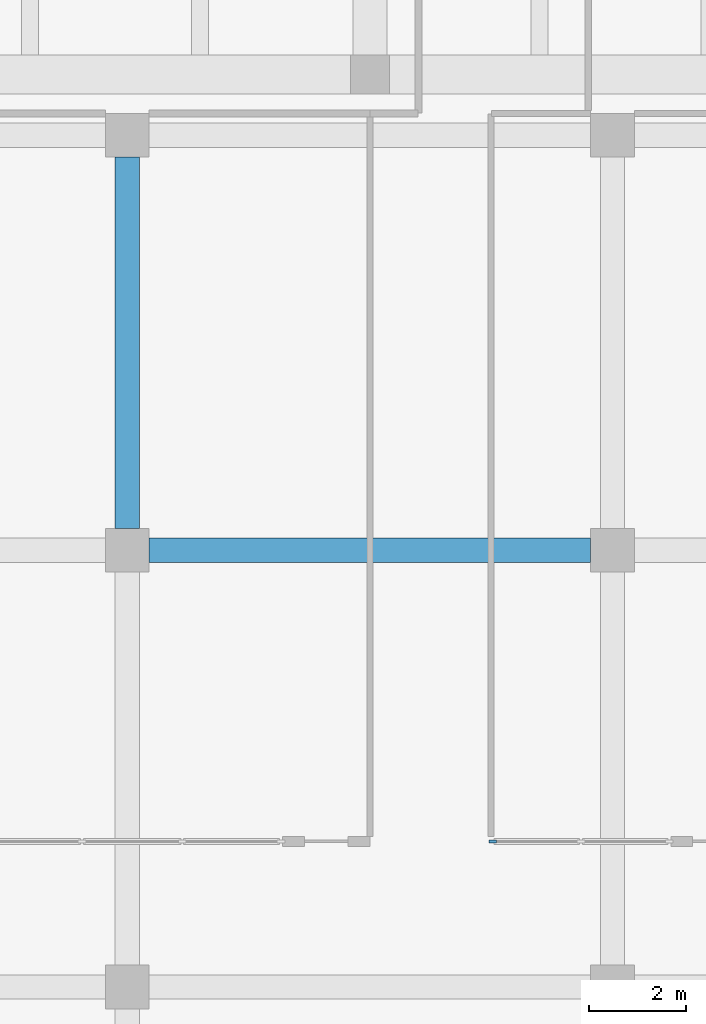
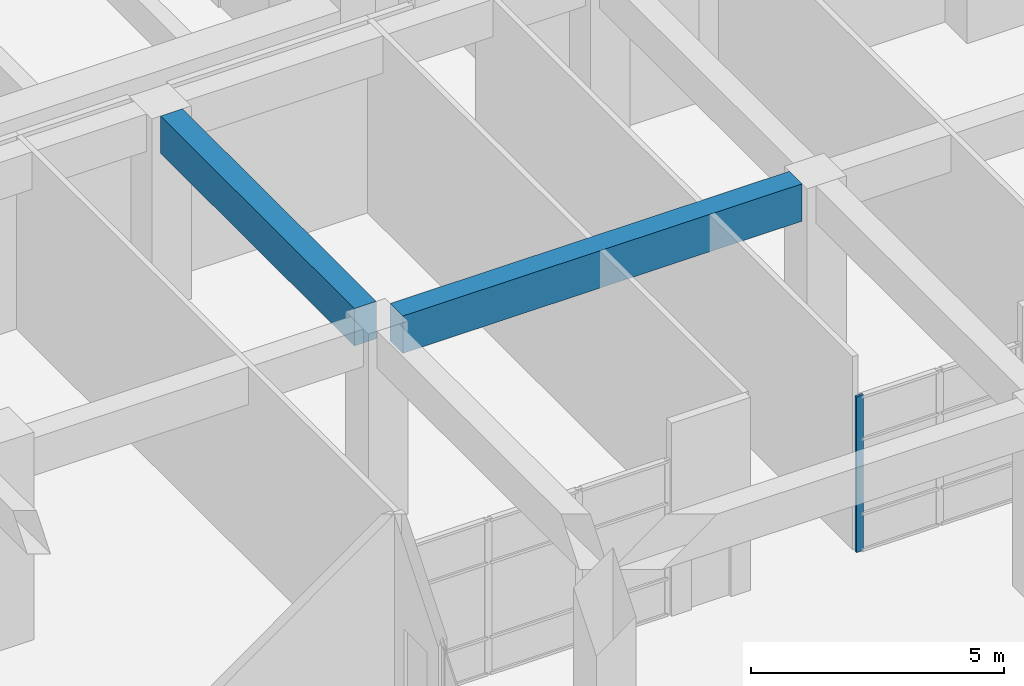
# One storey, part 11 of 29: 2 beams, 1 member, 1 element without a shape of its own.
"""IFC4 building model written with IfcOpenShell, lengths in metres."""

from ifc_helpers import new_model, si_unit, direction, frame, origin, origin_2d, place, context, subcontext, project, spatial, rectangle, extrude, material, material_profile, profile_set, type_object, element, aggregate, save


model = new_model("IFC4")

# Units and contexts
model_context = context("Model", 3, precision=1e-05, world=origin(), true_north=direction((0.0, 1.0)))
body_context = subcontext(model_context, "Body", "Model", "MODEL_VIEW")
ifc_project = project(units=[si_unit("LENGTHUNIT", "METRE"), si_unit("AREAUNIT", "SQUARE_METRE"), si_unit("VOLUMEUNIT", "CUBIC_METRE"), si_unit("PLANEANGLEUNIT", "RADIAN"), si_unit("MASSUNIT", "GRAM", prefix="KILO")], contexts=[model_context])

# Site, building, storey
site_placement = place(None, origin())
site = spatial("IfcSite", under=ifc_project, at=site_placement, CompositionType="ELEMENT")
building_placement = place(site_placement, origin())
building = spatial("IfcBuilding", under=site, at=building_placement, Name="Elmora Arch Market Hall", CompositionType="ELEMENT")
storey_placement = place(building_placement, frame((0.0, 0.0, -5.0)))
storey = spatial("IfcBuildingStorey", under=building, at=storey_placement, Name="LG", CompositionType="ELEMENT", Elevation=-5.0)

# Beams
ifc_material_1 = material(Name="Concrete C32/40", Category="concrete")
ifc_material_profile_1 = material_profile(ifc_material_1, rectangle(XDim=0.5, YDim=0.89990234375, at=origin_2d()), Name="Basement girder 500x900")
ifc_profile_set_1 = profile_set([ifc_material_profile_1], Name="Concrete C32/40")
beam_type = type_object("IfcBeamType", Name="Basement girder 500x900", PredefinedType="BEAM", material=ifc_profile_set_1)
beam_1_placement = place(storey_placement, frame((24.449951171875, 90.0, 4.199951171875), z_axis=(1.0, 0.0, 0.0), x_axis=(0.0, 1.0, 0.0)))
element("IfcBeam", 1, at=beam_1_placement, inside=storey, type_object=beam_type, Name="Basement girder HR8 LG.2", PredefinedType="BEAM", context=body_context, shape_type="SweptSolid", body=[
    extrude(rectangle(XDim=0.5, YDim=0.89990234375, at=origin_2d()), origin(), (0.0, 0.0, 1.0), 9.10009765625),
])
beam_2_placement = place(storey_placement, frame((24.0, 90.449951171875, 4.199951171875), z_axis=(0.0, 1.0, 0.0), x_axis=(-1.0, 0.0, 0.0)))
element("IfcBeam", 2, at=beam_2_placement, inside=storey, type_object=beam_type, Name="Basement girder HC1 LG.8", PredefinedType="BEAM", context=body_context, shape_type="SweptSolid", body=[
    extrude(rectangle(XDim=0.5, YDim=0.89990234375, at=origin_2d()), origin(), (0.0, 0.0, 1.0), 7.650146484375),
])

# Curtain wall, member
ifc_material_2 = material(Name="Aluminium", Category="aluminium")
curtain_wall_type = type_object("IfcCurtainWallType", Name="Lower ground shopfront curtain wall", PredefinedType="NOTDEFINED", material=ifc_material_2)
curtain_wall_placement = place(storey_placement, origin())
curtain_wall = element("IfcCurtainWall", 3, at=curtain_wall_placement, inside=storey, type_object=curtain_wall_type, Name="Lower ground shopfront N2", PredefinedType="NOTDEFINED")
ifc_material_3 = material(Name="Aluminium", Category="aluminium")
ifc_material_profile_2 = material_profile(ifc_material_3, rectangle(XDim=0.06005859375, YDim=0.159912109375, at=origin_2d()), Name="AL 60x160")
ifc_profile_set_2 = profile_set([ifc_material_profile_2], Name="Aluminium")
member_type = type_object("IfcMemberType", Name="Mullion 60x160", PredefinedType="MULLION", material=ifc_profile_set_2)
member_placement = place(storey_placement, frame((31.530029296875, 84.0, 0.0), z_axis=(0.0, 0.0, 1.0), x_axis=(0.0, 1.0, 0.0)))
member = element("IfcMember", 4, at=member_placement, type_object=member_type, Name="CW6 mullion 1", PredefinedType="MULLION", context=body_context, shape_type="SweptSolid", body=[
    extrude(rectangle(XDim=0.06005859375, YDim=0.159912109375, at=origin_2d()), origin(), (0.0, 0.0, 1.0), 3.75),
])
aggregate(curtain_wall, [member])

save(model, "model.ifc")
